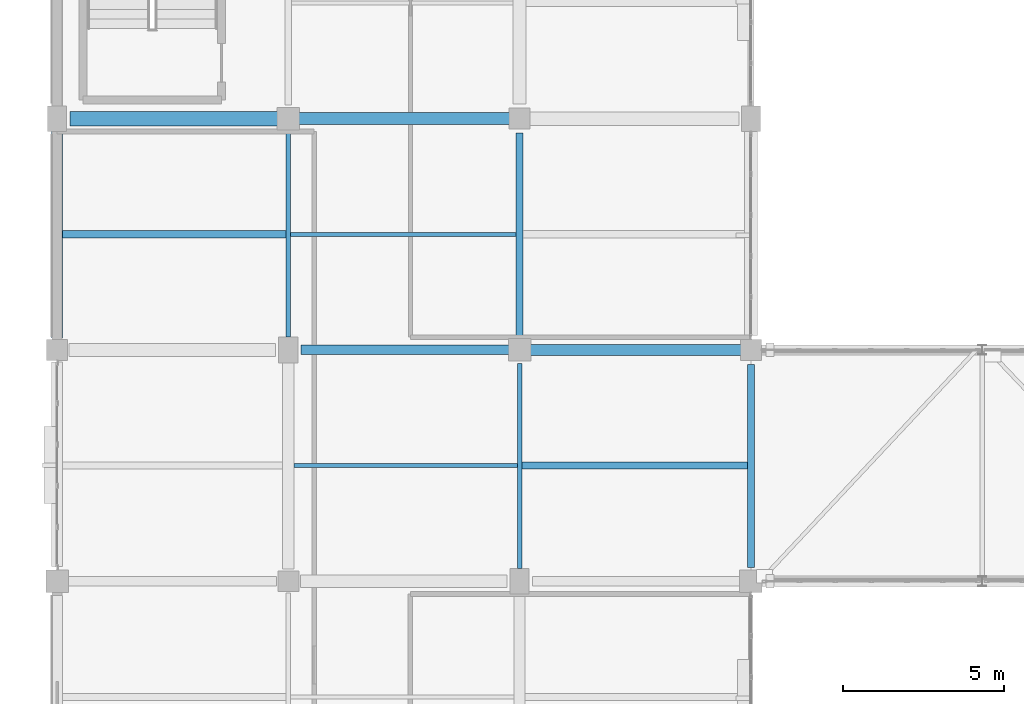
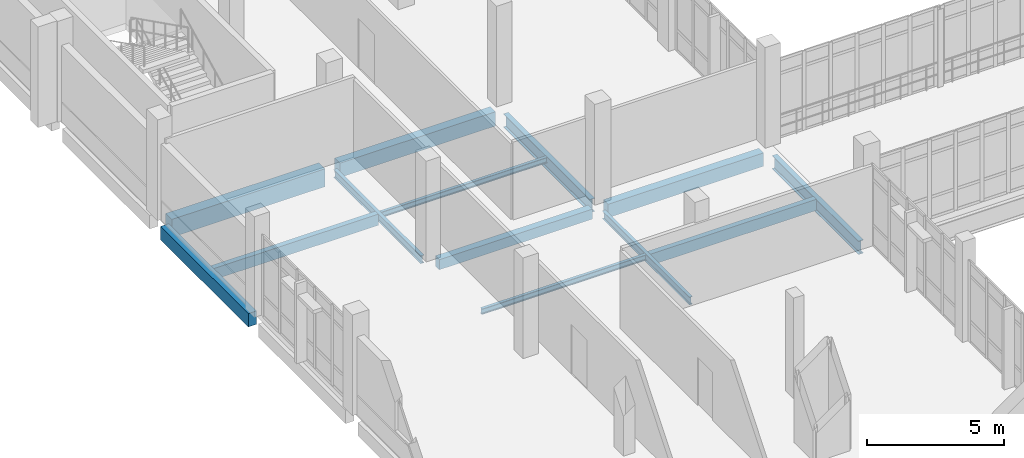
# One storey, part 15 of 124: 13 beams.
"""IFC4 building model written with IfcOpenShell, lengths in metres."""

import ifcopenshell
import ifcopenshell.guid

model = None  # the IFC model being written
_history = None  # IfcOwnerHistory: only IFC2X3 demands one
_inside = {}  # id of a spatial element -> (the spatial element, [elements in it])
_under = {}  # id of a project, library or spatial element -> (it, [spatial elements below it])
_declared = {}  # id of a project -> (the project, [libraries it declares])
_typed = {}  # id of a type object -> (the type object, [elements of that type])
_made_of = {}  # id of a material, layer set ... -> (it, [elements and type objects made of it])


def new_model(schema):
    """Start an empty IFC model of exactly this schema.

    Asked for "IFC4X3", IfcOpenShell would pick the latest addendum, in which some entities
    have other attributes; the version numbers below select the first issue.
    IFC2X3 requires an IfcOwnerHistory on every rooted entity: one is made here for all.
    """
    global model, _history
    if schema == "IFC4X3":
        model = ifcopenshell.file(schema_version=(4, 3, 0, 0))
    else:
        model = ifcopenshell.file(schema=schema)
    _inside.clear()
    _under.clear()
    _declared.clear()
    _typed.clear()
    _made_of.clear()
    _history = None
    if model.schema == "IFC2X3":
        org = make("IfcOrganization", Name="unknown")
        user = make(
            "IfcPersonAndOrganization",
            ThePerson=make("IfcPerson", FamilyName="unknown"),
            TheOrganization=org,
        )
        app = make(
            "IfcApplication",
            ApplicationDeveloper=org,
            Version="unknown",
            ApplicationFullName="unknown",
            ApplicationIdentifier="unknown",
        )
        _history = make(
            "IfcOwnerHistory",
            OwningUser=user,
            OwningApplication=app,
            ChangeAction="ADDED",
            CreationDate=0,
        )
    return model


def make(cls, **values):
    """One entity of the class cls with the attributes given. An attribute that is None is left unset."""
    return model.create_entity(
        cls, **{name: value for name, value in values.items() if value is not None}
    )


def rooted(cls, **values):
    """An entity with a GlobalId (a new one), such as an element, a storey or a relation."""
    return make(cls, GlobalId=ifcopenshell.guid.new(), OwnerHistory=_history, **values)


def si_unit(unit_type, name, prefix=None):
    """IfcSIUnit, for example si_unit("LENGTHUNIT", "METRE", prefix="MILLI")."""
    return make("IfcSIUnit", UnitType=unit_type, Prefix=prefix, Name=name)


def assignment(units):
    """IfcUnitAssignment: the units of a project."""
    return None if units is None else make("IfcUnitAssignment", Units=units)


def point(xyz):
    """IfcCartesianPoint."""
    return None if xyz is None else make("IfcCartesianPoint", Coordinates=xyz)


def direction(xyz):
    """IfcDirection."""
    return None if xyz is None else make("IfcDirection", DirectionRatios=xyz)


def frame(location, z_axis=None, x_axis=None):
    """IfcAxis2Placement3D, a coordinate frame: its origin and axes. An axis left out is left unset."""
    return make(
        "IfcAxis2Placement3D",
        Location=point(location),
        Axis=direction(z_axis),
        RefDirection=direction(x_axis),
    )


def frame_2d(location, x_axis=None):
    """IfcAxis2Placement2D, a coordinate frame in the plane: its origin and x axis."""
    return make(
        "IfcAxis2Placement2D", Location=point(location), RefDirection=direction(x_axis)
    )


def origin():
    """The frame at (0, 0, 0) with its axes left unset."""
    return frame((0.0, 0.0, 0.0))


def origin_2d():
    """The frame at (0, 0) in the plane with its x axis left unset."""
    return frame_2d((0.0, 0.0))


def place(relative_to, where):
    """IfcLocalPlacement: puts the frame where relative to a parent placement (None: the world)."""
    return make(
        "IfcLocalPlacement", PlacementRelTo=relative_to, RelativePlacement=where
    )


def context(
    kind, dimensions, precision=None, world=None, true_north=None, identifier=None
):
    """IfcGeometricRepresentationContext, for example the 3D "Model" context."""
    return make(
        "IfcGeometricRepresentationContext",
        ContextIdentifier=identifier,
        ContextType=kind,
        CoordinateSpaceDimension=dimensions,
        Precision=precision,
        WorldCoordinateSystem=world,
        TrueNorth=true_north,
    )


def subcontext(parent, identifier, kind, view, scale=None):
    """IfcGeometricRepresentationSubContext, for example "Body" below "Model"."""
    return make(
        "IfcGeometricRepresentationSubContext",
        ContextIdentifier=identifier,
        ContextType=kind,
        ParentContext=parent,
        TargetScale=scale,
        TargetView=view,
    )


def project(units=None, contexts=None):
    """IfcProject with its units and contexts."""
    return rooted(
        "IfcProject",
        Name="project",
        RepresentationContexts=contexts,
        UnitsInContext=assignment(units),
    )


def spatial(cls, under=None, at=None, **own):
    """A site, building, storey or space (cls), placed at a placement, below another one or the project."""
    s = rooted(cls, ObjectPlacement=at, **own)
    if under is not None:
        _under.setdefault(under.id(), (under, []))[1].append(s)
    return s


def profile(cls, at=None, kind="AREA", **sizes):
    """A parametric profile (cls). Its sizes go by their IFC names, for example OverallWidth=200.0."""
    return make(cls, ProfileType=kind, Position=at, **sizes)


def rectangle(**sizes):
    """IfcRectangleProfileDef."""
    return profile("IfcRectangleProfileDef", **sizes)


def i_section(**sizes):
    """IfcIShapeProfileDef."""
    return profile("IfcIShapeProfileDef", **sizes)


def extrude(swept, where, along, depth):
    """IfcExtrudedAreaSolid: the profile swept, set in the frame where, extruded along a direction by depth."""
    return make(
        "IfcExtrudedAreaSolid",
        SweptArea=swept,
        Position=where,
        ExtrudedDirection=direction(along),
        Depth=depth,
    )


def shape(context_of_items, identifier, shape_type, items):
    """IfcShapeRepresentation: the items that make up one representation, for example the "Body"."""
    return make(
        "IfcShapeRepresentation",
        ContextOfItems=context_of_items,
        RepresentationIdentifier=identifier,
        RepresentationType=shape_type,
        Items=items,
    )


def material(Name=None, Category=None):
    """IfcMaterial."""
    return make("IfcMaterial", Name=Name, Category=Category)


def material_profile(
    of_material, cross_section, Name=None, Category=None, Priority=None
):
    """IfcMaterialProfile: a cross section and its material."""
    return make(
        "IfcMaterialProfile",
        Name=Name,
        Material=of_material,
        Profile=cross_section,
        Priority=Priority,
        Category=Category,
    )


def profile_set(profiles, Name=None, composite=None):
    """IfcMaterialProfileSet."""
    return make(
        "IfcMaterialProfileSet",
        Name=Name,
        MaterialProfiles=profiles,
        CompositeProfile=composite,
    )


def made_of(thing, what):
    """Note that an element or type object is made of a material, layer set ...; save() writes the relation."""
    if what is not None:
        _made_of.setdefault(what.id(), (what, []))[1].append(thing)
    return thing


def type_object(cls, material=None, **own):
    """A type object (cls), such as IfcWallType, which elements share."""
    return made_of(rooted(cls, **own), material)


def element(
    cls,
    number,
    at=None,
    inside=None,
    cuts=None,
    type_object=None,
    material=None,
    context=None,
    identifier="Body",
    shape_type=None,
    held_by="IfcProductDefinitionShape",
    body=None,
    shapes=None,
    **own,
):
    """One element of the class cls, such as IfcWall. Its Tag is "e" and its number.

    at: its placement. inside: the storey or other place that contains it. cuts: it is an
    opening in that element (IfcRelVoidsElement). A single representation is given by context,
    identifier, shape_type and body (its items); several are given by shapes. held_by: the class
    of the entity that holds the representations. save() writes the other relations.
    """
    e = rooted(cls, Tag="e%d" % number, ObjectPlacement=at, **own)
    if body is not None:
        shapes = [shape(context, identifier, shape_type, body)]
    if shapes is not None:
        e.Representation = make(held_by, Representations=shapes)
    if inside is not None:
        _inside.setdefault(inside.id(), (inside, []))[1].append(e)
    if cuts is not None:
        rooted(
            "IfcRelVoidsElement", RelatingBuildingElement=cuts, RelatedOpeningElement=e
        )
    if type_object is not None:
        _typed.setdefault(type_object.id(), (type_object, []))[1].append(e)
    return made_of(e, material)


def aggregate(whole, parts):
    """IfcRelAggregates: a whole, such as a stair, and the parts it consists of."""
    return rooted("IfcRelAggregates", RelatingObject=whole, RelatedObjects=parts)


def save(model, path):
    """Write the relations noted so far, then the file.

    IfcRelAggregates (storeys below a building ...), IfcRelContainedInSpatialStructure (elements
    in a storey), IfcRelDefinesByType, IfcRelAssociatesMaterial and IfcRelDeclares: one each for
    every whole, place, type object, material and project.
    """
    for whole, parts in _under.values():
        aggregate(whole, parts)
    for where, things in _inside.values():
        rooted(
            "IfcRelContainedInSpatialStructure",
            RelatedElements=things,
            RelatingStructure=where,
        )
    for kind, things in _typed.values():
        rooted("IfcRelDefinesByType", RelatedObjects=things, RelatingType=kind)
    for what, things in _made_of.values():
        rooted("IfcRelAssociatesMaterial", RelatedObjects=things, RelatingMaterial=what)
    for by, libraries in _declared.values():
        rooted("IfcRelDeclares", RelatingContext=by, RelatedDefinitions=libraries)
    model.write(path)


model = new_model("IFC4")

# Units and contexts
model_context = context("Model", 3, precision=1e-05, world=origin(), true_north=direction((0.0, 1.0)))
body_context = subcontext(model_context, "Body", "Model", "MODEL_VIEW")
ifc_project = project(units=[si_unit("LENGTHUNIT", "METRE"), si_unit("AREAUNIT", "SQUARE_METRE"), si_unit("VOLUMEUNIT", "CUBIC_METRE"), si_unit("PLANEANGLEUNIT", "RADIAN"), si_unit("MASSUNIT", "GRAM", prefix="KILO")], contexts=[model_context])

# Site, building, storey
site_placement = place(None, origin())
site = spatial("IfcSite", under=ifc_project, at=site_placement, CompositionType="ELEMENT")
building_placement = place(site_placement, origin())
building = spatial("IfcBuilding", under=site, at=building_placement, Name="Kalluvel Institute of Natural Sciences", CompositionType="ELEMENT")
storey_placement = place(building_placement, frame((0.0, 0.0, 9.89990234375)))
storey = spatial("IfcBuildingStorey", under=building, at=storey_placement, Name="L02", CompositionType="ELEMENT", Elevation=9.89990234375)

# Beams
ifc_material_1 = material(Name="Steel E350 Grade 350", Category="steel")
ifc_material_profile_1 = material_profile(ifc_material_1, i_section(OverallWidth=0.139892578125, OverallDepth=0.35009765625, WebThickness=0.008056640625, FlangeThickness=0.01416015625, FilletRadius=0.013916015625, at=origin_2d()), Name="ISMB 350")
ifc_profile_set_1 = profile_set([ifc_material_profile_1], Name="Steel E350 Grade 350")
beam_type_1 = type_object("IfcBeamType", Name="BM-ISMB350", PredefinedType="BEAM", material=ifc_profile_set_1)
for number, where, z_axis, x_axis, name in (
    (1, (21.199951171875, 36.0, -0.474853515625), (0.0, 1.0, 0.0), (-1.0, 0.0, 0.0), "L02 girder GIR-L02-NS-X212-Y356"),
    (2, (28.39990234375, 28.800048828125, -0.474853515625), (0.0, 1.0, 0.0), (-1.0, 0.0, 0.0), "L02 girder GIR-L02-NS-X284-Y284"),
):
    element("IfcBeam", number, at=place(storey_placement, frame(where, z_axis=z_axis, x_axis=x_axis)), inside=storey, type_object=beam_type_1, Name=name, PredefinedType="BEAM", context=body_context, shape_type="SweptSolid", body=[
        extrude(i_section(OverallWidth=0.139892578125, OverallDepth=0.35009765625, WebThickness=0.008056640625, FlangeThickness=0.01416015625, FilletRadius=0.013916015625, at=origin_2d()), origin(), (0.0, 0.0, 1.0), 6.375),
    ])
ifc_material_profile_2 = material_profile(ifc_material_1, i_section(OverallWidth=0.2099609375, OverallDepth=0.60009765625, WebThickness=0.011962890625, FlangeThickness=0.020751953125, FilletRadius=0.02001953125, at=origin_2d()), Name="ISMB 600")
ifc_profile_set_2 = profile_set([ifc_material_profile_2], Name="Steel E350 Grade 350")
beam_type_2 = type_object("IfcBeamType", Name="BM-ISMB600", PredefinedType="BEAM", material=ifc_profile_set_2)
beam_1_placement = place(storey_placement, frame((28.39990234375, 36.02490234375, -0.599853515625), z_axis=(0.0, 1.0, 0.0), x_axis=(-1.0, 0.0, 0.0)))
element("IfcBeam", 3, at=beam_1_placement, inside=storey, type_object=beam_type_2, Name="L02 girder GIR-L02-NS-X284-Y356", PredefinedType="BEAM", context=body_context, shape_type="SweptSolid", body=[
    extrude(i_section(OverallWidth=0.2099609375, OverallDepth=0.60009765625, WebThickness=0.011962890625, FlangeThickness=0.020751953125, FilletRadius=0.02001953125, at=origin_2d()), origin(), (0.0, 0.0, 1.0), 6.3251953125),
])
beam_2_placement = place(storey_placement, frame((35.60009765625, 28.824951171875, -0.619873046875), z_axis=(0.0, 1.0, 0.0), x_axis=(-1.0, 0.0, 0.0)))
element("IfcBeam", 4, at=beam_2_placement, inside=storey, type_object=beam_type_2, Name="L02 girder GIR-L02-NS-X356-Y284", PredefinedType="BEAM", context=body_context, shape_type="SweptSolid", body=[
    extrude(i_section(OverallWidth=0.2099609375, OverallDepth=0.60009765625, WebThickness=0.011962890625, FlangeThickness=0.020751953125, FilletRadius=0.02001953125, at=origin_2d()), origin(), (0.0, 0.0, 1.0), 6.324951171875),
])
ifc_material_2 = material(Name="Concrete M40", Category="concrete")
ifc_material_profile_3 = material_profile(ifc_material_2, rectangle(XDim=0.3798828125, YDim=0.639892578125, at=origin_2d()), Name="RCB 380x640")
ifc_profile_set_3 = profile_set([ifc_material_profile_3], Name="Concrete M40")
beam_type_3 = type_object("IfcBeamType", Name="BM-RC380x640", PredefinedType="BEAM", material=ifc_profile_set_3)
beam_3_placement = place(storey_placement, frame((21.52490234375, 42.800048828125, -0.619873046875), z_axis=(1.0, 0.0, 0.0), x_axis=(0.0, 1.0, 0.0)))
element("IfcBeam", 5, at=beam_3_placement, inside=storey, type_object=beam_type_3, Name="L02 girder GIR-L02-EW-X212-Y428", PredefinedType="BEAM", context=body_context, shape_type="SweptSolid", body=[
    extrude(rectangle(XDim=0.3798828125, YDim=0.639892578125, at=origin_2d()), origin(), (0.0, 0.0, 1.0), 6.5751953125),
])
ifc_material_profile_4 = material_profile(ifc_material_2, rectangle(XDim=0.449951171875, YDim=0.800048828125, at=origin_2d()), Name="RCB 450x800")
ifc_profile_set_4 = profile_set([ifc_material_profile_4], Name="Concrete M40")
beam_type_4 = type_object("IfcBeamType", Name="BM-RC450x800", PredefinedType="BEAM", material=ifc_profile_set_4)
beam_4_placement = place(storey_placement, frame((14.39990234375, 42.800048828125, -0.699951171875), z_axis=(1.0, 0.0, 0.0), x_axis=(0.0, 1.0, 0.0)))
element("IfcBeam", 6, at=beam_4_placement, inside=storey, type_object=beam_type_4, Name="L02 girder GIR-L02-EW-X140-Y428", PredefinedType="BEAM", context=body_context, shape_type="SweptSolid", body=[
    extrude(rectangle(XDim=0.449951171875, YDim=0.800048828125, at=origin_2d()), origin(), (0.0, 0.0, 1.0), 6.47509765625),
])
ifc_material_profile_5 = material_profile(ifc_material_2, rectangle(XDim=0.300048828125, YDim=0.449951171875, at=origin_2d()), Name="RCB 300x450")
ifc_profile_set_5 = profile_set([ifc_material_profile_5], Name="Concrete M40")
beam_type_5 = type_object("IfcBeamType", Name="SP-RC300x450", PredefinedType="SPANDREL", material=ifc_profile_set_5)
beam_5_placement = place(storey_placement, frame((21.60009765625, 35.60009765625, -0.52490234375), z_axis=(1.0, 0.0, 0.0), x_axis=(0.0, 1.0, 0.0)))
element("IfcBeam", 7, at=beam_5_placement, inside=storey, type_object=beam_type_5, Name="L02 girder GIR-L02-EW-X212-Y356", PredefinedType="SPANDREL", context=body_context, shape_type="SweptSolid", body=[
    extrude(rectangle(XDim=0.300048828125, YDim=0.449951171875, at=origin_2d()), origin(), (0.0, 0.0, 1.0), 6.474853515625),
])
ifc_material_profile_6 = material_profile(ifc_material_2, rectangle(XDim=0.35009765625, YDim=0.60009765625, at=origin_2d()), Name="RCB 350x600")
ifc_profile_set_6 = profile_set([ifc_material_profile_6], Name="Concrete M40")
beam_type_6 = type_object("IfcBeamType", Name="SP-RC350x600", PredefinedType="SPANDREL", material=ifc_profile_set_6)
beam_6_placement = place(storey_placement, frame((28.72509765625, 35.60009765625, -0.599853515625), z_axis=(1.0, 0.0, 0.0), x_axis=(0.0, 1.0, 0.0)))
element("IfcBeam", 8, at=beam_6_placement, inside=storey, type_object=beam_type_6, Name="L02 girder GIR-L02-EW-X284-Y356", PredefinedType="SPANDREL", context=body_context, shape_type="SweptSolid", body=[
    extrude(rectangle(XDim=0.35009765625, YDim=0.60009765625, at=origin_2d()), origin(), (0.0, 0.0, 1.0), 6.574951171875),
])
beam_7_placement = place(storey_placement, frame((14.0, 35.97509765625, -0.599853515625), z_axis=(0.0, 1.0, 0.0), x_axis=(-1.0, 0.0, 0.0)))
element("IfcBeam", 9, at=beam_7_placement, inside=storey, type_object=beam_type_6, Name="L02 girder GIR-L02-NS-X140-Y356", PredefinedType="SPANDREL", context=body_context, shape_type="SweptSolid", body=[
    extrude(rectangle(XDim=0.35009765625, YDim=0.60009765625, at=origin_2d()), origin(), (0.0, 0.0, 1.0), 6.4248046875),
])
ifc_material_profile_7 = material_profile(ifc_material_2, rectangle(XDim=0.219970703125, YDim=0.5, at=origin_2d()), Name="WAF 220x500")
ifc_profile_set_7 = profile_set([ifc_material_profile_7], Name="Concrete M40")
beam_type_7 = type_object("IfcBeamType", Name="WJ-220x500", PredefinedType="JOIST", material=ifc_profile_set_7)
beam_8_placement = place(storey_placement, frame((28.469970703125, 32.0, -0.5498046875), z_axis=(1.0, 0.0, 0.0), x_axis=(0.0, 1.0, 0.0)))
element("IfcBeam", 10, at=beam_8_placement, inside=storey, type_object=beam_type_7, Name="L02 floor rib RIB-L02-0660", PredefinedType="JOIST", context=body_context, shape_type="SweptSolid", body=[
    extrude(rectangle(XDim=0.219970703125, YDim=0.5, at=origin_2d()), origin(), (0.0, 0.0, 1.0), 7.025146484375),
])
beam_9_placement = place(storey_placement, frame((14.175048828125, 39.199951171875, -0.5498046875), z_axis=(1.0, 0.0, 0.0), x_axis=(0.0, 1.0, 0.0)))
element("IfcBeam", 11, at=beam_9_placement, inside=storey, type_object=beam_type_7, Name="L02 floor rib RIB-L02-0661", PredefinedType="JOIST", context=body_context, shape_type="SweptSolid", body=[
    extrude(rectangle(XDim=0.219970703125, YDim=0.5, at=origin_2d()), origin(), (0.0, 0.0, 1.0), 6.954833984375),
])
ifc_material_profile_8 = material_profile(ifc_material_1, i_section(OverallWidth=0.125, OverallDepth=0.25, WebThickness=0.0068359375, FlangeThickness=0.012451171875, FilletRadius=0.012939453125, at=origin_2d()), Name="ISMB 250")
ifc_profile_set_8 = profile_set([ifc_material_profile_8], Name="Steel E350 Grade 350")
beam_type_8 = type_object("IfcBeamType", Name="WJ-ISMB250", PredefinedType="JOIST", material=ifc_profile_set_8)
beam_10_placement = place(storey_placement, frame((21.375, 32.0, -0.4248046875), z_axis=(1.0, 0.0, 0.0), x_axis=(0.0, 1.0, 0.0)))
element("IfcBeam", 12, at=beam_10_placement, inside=storey, type_object=beam_type_8, Name="L02 floor rib RIB-L02-0659", PredefinedType="JOIST", context=body_context, shape_type="SweptSolid", body=[
    extrude(i_section(OverallWidth=0.125, OverallDepth=0.25, WebThickness=0.0068359375, FlangeThickness=0.012451171875, FilletRadius=0.012939453125, at=origin_2d()), origin(), (0.0, 0.0, 1.0), 6.955078125),
])
beam_11_placement = place(storey_placement, frame((21.27001953125, 39.199951171875, -0.4248046875), z_axis=(1.0, 0.0, 0.0), x_axis=(0.0, 1.0, 0.0)))
element("IfcBeam", 13, at=beam_11_placement, inside=storey, type_object=beam_type_8, Name="L02 floor rib RIB-L02-0662", PredefinedType="JOIST", context=body_context, shape_type="SweptSolid", body=[
    extrude(i_section(OverallWidth=0.125, OverallDepth=0.25, WebThickness=0.0068359375, FlangeThickness=0.012451171875, FilletRadius=0.012939453125, at=origin_2d()), origin(), (0.0, 0.0, 1.0), 7.02490234375),
])

save(model, "model.ifc")
